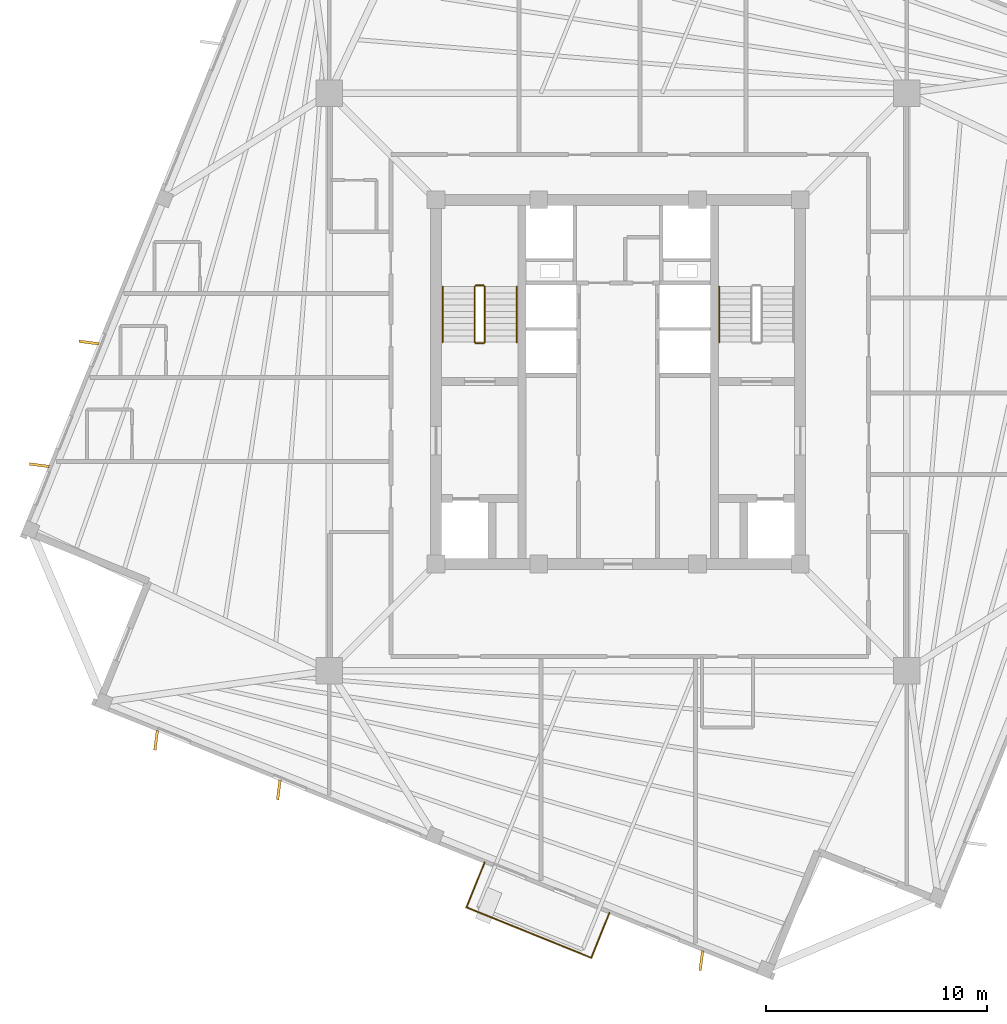
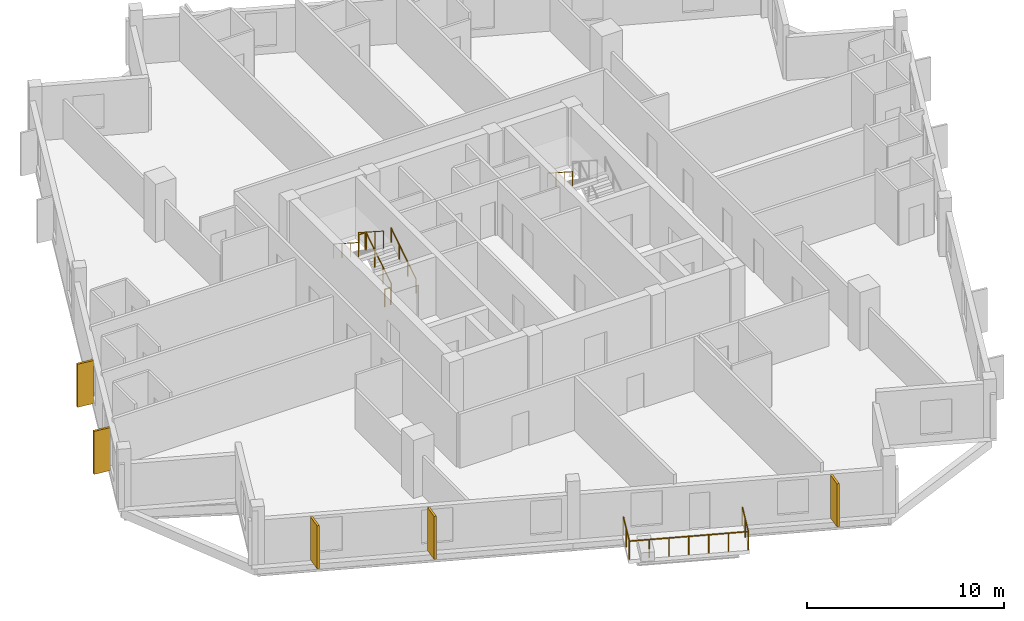
# One storey, part 7 of 9: 10 railings, 5 coverings.
"""IFC4 building model written with IfcOpenShell, lengths in metres."""

import ifcopenshell
import ifcopenshell.guid

model = None  # the IFC model being written
_history = None  # IfcOwnerHistory: only IFC2X3 demands one
_inside = {}  # id of a spatial element -> (the spatial element, [elements in it])
_under = {}  # id of a project, library or spatial element -> (it, [spatial elements below it])
_declared = {}  # id of a project -> (the project, [libraries it declares])
_typed = {}  # id of a type object -> (the type object, [elements of that type])
_made_of = {}  # id of a material, layer set ... -> (it, [elements and type objects made of it])


def new_model(schema):
    """Start an empty IFC model of exactly this schema.

    Asked for "IFC4X3", IfcOpenShell would pick the latest addendum, in which some entities
    have other attributes; the version numbers below select the first issue.
    IFC2X3 requires an IfcOwnerHistory on every rooted entity: one is made here for all.
    """
    global model, _history
    if schema == "IFC4X3":
        model = ifcopenshell.file(schema_version=(4, 3, 0, 0))
    else:
        model = ifcopenshell.file(schema=schema)
    _inside.clear()
    _under.clear()
    _declared.clear()
    _typed.clear()
    _made_of.clear()
    _history = None
    if model.schema == "IFC2X3":
        org = make("IfcOrganization", Name="unknown")
        user = make(
            "IfcPersonAndOrganization",
            ThePerson=make("IfcPerson", FamilyName="unknown"),
            TheOrganization=org,
        )
        app = make(
            "IfcApplication",
            ApplicationDeveloper=org,
            Version="unknown",
            ApplicationFullName="unknown",
            ApplicationIdentifier="unknown",
        )
        _history = make(
            "IfcOwnerHistory",
            OwningUser=user,
            OwningApplication=app,
            ChangeAction="ADDED",
            CreationDate=0,
        )
    return model


def make(cls, **values):
    """One entity of the class cls with the attributes given. An attribute that is None is left unset."""
    return model.create_entity(
        cls, **{name: value for name, value in values.items() if value is not None}
    )


def rooted(cls, **values):
    """An entity with a GlobalId (a new one), such as an element, a storey or a relation."""
    return make(cls, GlobalId=ifcopenshell.guid.new(), OwnerHistory=_history, **values)


def si_unit(unit_type, name, prefix=None):
    """IfcSIUnit, for example si_unit("LENGTHUNIT", "METRE", prefix="MILLI")."""
    return make("IfcSIUnit", UnitType=unit_type, Prefix=prefix, Name=name)


def assignment(units):
    """IfcUnitAssignment: the units of a project."""
    return None if units is None else make("IfcUnitAssignment", Units=units)


def point(xyz):
    """IfcCartesianPoint."""
    return None if xyz is None else make("IfcCartesianPoint", Coordinates=xyz)


def direction(xyz):
    """IfcDirection."""
    return None if xyz is None else make("IfcDirection", DirectionRatios=xyz)


def frame(location, z_axis=None, x_axis=None):
    """IfcAxis2Placement3D, a coordinate frame: its origin and axes. An axis left out is left unset."""
    return make(
        "IfcAxis2Placement3D",
        Location=point(location),
        Axis=direction(z_axis),
        RefDirection=direction(x_axis),
    )


def frame_2d(location, x_axis=None):
    """IfcAxis2Placement2D, a coordinate frame in the plane: its origin and x axis."""
    return make(
        "IfcAxis2Placement2D", Location=point(location), RefDirection=direction(x_axis)
    )


def origin():
    """The frame at (0, 0, 0) with its axes left unset."""
    return frame((0.0, 0.0, 0.0))


def origin_2d():
    """The frame at (0, 0) in the plane with its x axis left unset."""
    return frame_2d((0.0, 0.0))


def place(relative_to, where):
    """IfcLocalPlacement: puts the frame where relative to a parent placement (None: the world)."""
    return make(
        "IfcLocalPlacement", PlacementRelTo=relative_to, RelativePlacement=where
    )


def context(
    kind, dimensions, precision=None, world=None, true_north=None, identifier=None
):
    """IfcGeometricRepresentationContext, for example the 3D "Model" context."""
    return make(
        "IfcGeometricRepresentationContext",
        ContextIdentifier=identifier,
        ContextType=kind,
        CoordinateSpaceDimension=dimensions,
        Precision=precision,
        WorldCoordinateSystem=world,
        TrueNorth=true_north,
    )


def subcontext(parent, identifier, kind, view, scale=None):
    """IfcGeometricRepresentationSubContext, for example "Body" below "Model"."""
    return make(
        "IfcGeometricRepresentationSubContext",
        ContextIdentifier=identifier,
        ContextType=kind,
        ParentContext=parent,
        TargetScale=scale,
        TargetView=view,
    )


def project(units=None, contexts=None):
    """IfcProject with its units and contexts."""
    return rooted(
        "IfcProject",
        Name="project",
        RepresentationContexts=contexts,
        UnitsInContext=assignment(units),
    )


def spatial(cls, under=None, at=None, **own):
    """A site, building, storey or space (cls), placed at a placement, below another one or the project."""
    s = rooted(cls, ObjectPlacement=at, **own)
    if under is not None:
        _under.setdefault(under.id(), (under, []))[1].append(s)
    return s


def profile(cls, at=None, kind="AREA", **sizes):
    """A parametric profile (cls). Its sizes go by their IFC names, for example OverallWidth=200.0."""
    return make(cls, ProfileType=kind, Position=at, **sizes)


def rectangle(**sizes):
    """IfcRectangleProfileDef."""
    return profile("IfcRectangleProfileDef", **sizes)


def circle(**sizes):
    """IfcCircleProfileDef."""
    return profile("IfcCircleProfileDef", **sizes)


def extrude(swept, where, along, depth):
    """IfcExtrudedAreaSolid: the profile swept, set in the frame where, extruded along a direction by depth."""
    return make(
        "IfcExtrudedAreaSolid",
        SweptArea=swept,
        Position=where,
        ExtrudedDirection=direction(along),
        Depth=depth,
    )


def shape(context_of_items, identifier, shape_type, items):
    """IfcShapeRepresentation: the items that make up one representation, for example the "Body"."""
    return make(
        "IfcShapeRepresentation",
        ContextOfItems=context_of_items,
        RepresentationIdentifier=identifier,
        RepresentationType=shape_type,
        Items=items,
    )


def source(mapping_origin, context_of_items, identifier, shape_type, items):
    """IfcRepresentationMap: a shape defined once, which mapped items show again and again."""
    return make(
        "IfcRepresentationMap",
        MappingOrigin=mapping_origin,
        MappedRepresentation=shape(context_of_items, identifier, shape_type, items),
    )


def transform(
    local_origin,
    x_axis=None,
    y_axis=None,
    z_axis=None,
    scale=None,
    scale2=None,
    scale3=None,
    uniform=True,
):
    """IfcCartesianTransformationOperator3D, or its non-uniform kind. x_axis, y_axis, z_axis: its Axis1, 2, 3."""
    if uniform:
        return make(
            "IfcCartesianTransformationOperator3D",
            Axis1=direction(x_axis),
            Axis2=direction(y_axis),
            LocalOrigin=point(local_origin),
            Scale=scale,
            Axis3=direction(z_axis),
        )
    return make(
        "IfcCartesianTransformationOperator3DnonUniform",
        Axis1=direction(x_axis),
        Axis2=direction(y_axis),
        LocalOrigin=point(local_origin),
        Scale=scale,
        Axis3=direction(z_axis),
        Scale2=scale2,
        Scale3=scale3,
    )


def mapped(mapping_source, mapping_target):
    """IfcMappedItem: shows the shape of a source again, moved by a transform."""
    return make(
        "IfcMappedItem", MappingSource=mapping_source, MappingTarget=mapping_target
    )


def material(Name=None, Category=None):
    """IfcMaterial."""
    return make("IfcMaterial", Name=Name, Category=Category)


def layer(
    of_material, thickness, ventilated=None, Name=None, Category=None, Priority=None
):
    """IfcMaterialLayer: one layer of a wall or slab, of a material (None: an air gap)."""
    return make(
        "IfcMaterialLayer",
        Material=of_material,
        LayerThickness=thickness,
        IsVentilated=ventilated,
        Name=Name,
        Category=Category,
        Priority=Priority,
    )


def layer_set(layers, Name=None):
    """IfcMaterialLayerSet."""
    return make("IfcMaterialLayerSet", MaterialLayers=layers, LayerSetName=Name)


def made_of(thing, what):
    """Note that an element or type object is made of a material, layer set ...; save() writes the relation."""
    if what is not None:
        _made_of.setdefault(what.id(), (what, []))[1].append(thing)
    return thing


def type_object(cls, material=None, **own):
    """A type object (cls), such as IfcWallType, which elements share."""
    return made_of(rooted(cls, **own), material)


def element(
    cls,
    number,
    at=None,
    inside=None,
    cuts=None,
    type_object=None,
    material=None,
    context=None,
    identifier="Body",
    shape_type=None,
    held_by="IfcProductDefinitionShape",
    body=None,
    shapes=None,
    **own,
):
    """One element of the class cls, such as IfcWall. Its Tag is "e" and its number.

    at: its placement. inside: the storey or other place that contains it. cuts: it is an
    opening in that element (IfcRelVoidsElement). A single representation is given by context,
    identifier, shape_type and body (its items); several are given by shapes. held_by: the class
    of the entity that holds the representations. save() writes the other relations.
    """
    e = rooted(cls, Tag="e%d" % number, ObjectPlacement=at, **own)
    if body is not None:
        shapes = [shape(context, identifier, shape_type, body)]
    if shapes is not None:
        e.Representation = make(held_by, Representations=shapes)
    if inside is not None:
        _inside.setdefault(inside.id(), (inside, []))[1].append(e)
    if cuts is not None:
        rooted(
            "IfcRelVoidsElement", RelatingBuildingElement=cuts, RelatedOpeningElement=e
        )
    if type_object is not None:
        _typed.setdefault(type_object.id(), (type_object, []))[1].append(e)
    return made_of(e, material)


def aggregate(whole, parts):
    """IfcRelAggregates: a whole, such as a stair, and the parts it consists of."""
    return rooted("IfcRelAggregates", RelatingObject=whole, RelatedObjects=parts)


def save(model, path):
    """Write the relations noted so far, then the file.

    IfcRelAggregates (storeys below a building ...), IfcRelContainedInSpatialStructure (elements
    in a storey), IfcRelDefinesByType, IfcRelAssociatesMaterial and IfcRelDeclares: one each for
    every whole, place, type object, material and project.
    """
    for whole, parts in _under.values():
        aggregate(whole, parts)
    for where, things in _inside.values():
        rooted(
            "IfcRelContainedInSpatialStructure",
            RelatedElements=things,
            RelatingStructure=where,
        )
    for kind, things in _typed.values():
        rooted("IfcRelDefinesByType", RelatedObjects=things, RelatingType=kind)
    for what, things in _made_of.values():
        rooted("IfcRelAssociatesMaterial", RelatedObjects=things, RelatingMaterial=what)
    for by, libraries in _declared.values():
        rooted("IfcRelDeclares", RelatingContext=by, RelatedDefinitions=libraries)
    model.write(path)


model = new_model("IFC4")

# Units and contexts
model_context = context("Model", 3, precision=1e-05, world=origin(), true_north=direction((0.0, 1.0)))
body_context = subcontext(model_context, "Body", "Model", "MODEL_VIEW")
ifc_project = project(units=[si_unit("LENGTHUNIT", "METRE"), si_unit("AREAUNIT", "SQUARE_METRE"), si_unit("VOLUMEUNIT", "CUBIC_METRE"), si_unit("PLANEANGLEUNIT", "RADIAN"), si_unit("MASSUNIT", "GRAM", prefix="KILO"), si_unit("THERMODYNAMICTEMPERATUREUNIT", "KELVIN")], contexts=[model_context])

# Site, building, storey
site_placement = place(None, origin())
site = spatial("IfcSite", under=ifc_project, at=site_placement, CompositionType="ELEMENT")
building_placement = place(site_placement, origin())
building = spatial("IfcBuilding", under=site, at=building_placement, Name="Kosmvard Interchange Tower", CompositionType="ELEMENT")
storey_placement = place(building_placement, frame((0.0, 0.0, 297.60009765625)))
storey = spatial("IfcBuildingStorey", under=building, at=storey_placement, Name="L73", CompositionType="ELEMENT", Elevation=297.60009765625)

# Coverings
ifc_material_1 = material(Name="Architectural anodised aluminium", Category="aluminium")
ifc_layer = layer(ifc_material_1, 0.1201171875, Name="Architectural anodised aluminium")
ifc_layer_set = layer_set([ifc_layer], Name="Architectural anodised aluminium")
covering_type = type_object("IfcCoveringType", Name="Rotating Vertical Sun-Breaker Fin 900x120 Aluminium", PredefinedType="CLADDING", material=ifc_layer_set)
shared_shape_1 = source(origin(), body_context, "Body", "SweptSolid", [
    extrude(rectangle(XDim=0.89990234375, YDim=0.1201171875, at=origin_2d()), origin(), (0.0, 0.0, 1.0), 2.669921875),
])
for number, where, z_axis, x_axis, name in (
    (1, (-23.977783203125, 1.783935546875, 0.0400390625), (0.0, 0.0, 1.0), (-0.99178318013, 0.127930151302, 0.0), "L73 Rotating Vertical Sun-Breaker Fin 10"),
    (2, (-26.223876953125, -3.775390625, 0.0400390625), (0.0, 0.0, 1.0), (-0.99178318013, 0.127930151302, 0.0), "L73 Rotating Vertical Sun-Breaker Fin 11"),
    (3, (-20.932373046875, -16.2412109375, 0.0400390625), (0.0, 0.0, 1.0), (-0.127930151302, -0.99178318013, 0.0), "L73 Rotating Vertical Sun-Breaker Fin 12"),
    (4, (-15.373046875, -18.4873046875, 0.0400390625), (0.0, 0.0, 1.0), (-0.127930151302, -0.99178318013, 0.0), "L73 Rotating Vertical Sun-Breaker Fin 13"),
    (5, (3.775390625, -26.223876953125, 0.0400390625), (0.0, 0.0, 1.0), (-0.127930151302, -0.99178318013, 0.0), "L73 Rotating Vertical Sun-Breaker Fin 14"),
):
    element("IfcCovering", number, at=place(storey_placement, frame(where, z_axis=z_axis, x_axis=x_axis)), inside=storey, type_object=covering_type, Name=name, PredefinedType="CLADDING", context=body_context, shape_type="MappedRepresentation", body=[
        mapped(shared_shape_1, transform((0.0, 0.0, 0.0), scale=1.0)),
    ])

# Railings
ifc_material_2 = material(Name="Steel S355", Category="steel")
railing_type_1 = type_object("IfcRailingType", Name="Observation & Balcony Glass-Infill Balustrade 1150", PredefinedType="BALUSTRADE", material=ifc_material_2)
shared_shape_2 = source(origin(), body_context, "Body", "SweptSolid", [
    extrude(circle(Radius=0.02392578125, at=origin_2d()), frame((0.0, 0.0, 1.1259765625), z_axis=(0.374545618852, 0.927208487558, 0.0), x_axis=(-0.927208487558, 0.374545618852, 0.0)), (0.0, 0.0, 1.0), 2.199951171875),
    extrude(circle(Radius=0.02099609375, at=origin_2d()), origin(), (0.0, 0.0, 1.0), 1.101806640625),
    extrude(circle(Radius=0.02099609375, at=origin_2d()), frame((0.412109375, 1.02001953125, 0.0)), (0.0, 0.0, 1.0), 1.101806640625),
    extrude(circle(Radius=0.02099609375, at=origin_2d()), frame((0.823974609375, 2.039794921875, 0.0)), (0.0, 0.0, 1.0), 1.101806640625),
])
railing_1_placement = place(storey_placement, frame((-1.2138671875, -26.095458984375, 0.0)))
element("IfcRailing", 6, at=railing_1_placement, inside=storey, type_object=railing_type_1, Name="L73 Outdoor Terrace Guard BAL-L73-W-C", PredefinedType="BALUSTRADE", context=body_context, shape_type="MappedRepresentation", body=[
    mapped(shared_shape_2, transform((0.0, 0.0, 0.0), scale=1.0)),
])
shared_shape_3 = source(origin(), body_context, "Body", "SweptSolid", [
    extrude(circle(Radius=0.02392578125, at=origin_2d()), frame((0.0, 0.0, 1.1259765625), z_axis=(-0.374545618852, -0.927208487558, 0.0), x_axis=(0.927208487558, -0.374545618852, 0.0)), (0.0, 0.0, 1.0), 2.199951171875),
    extrude(circle(Radius=0.02099609375, at=origin_2d()), origin(), (0.0, 0.0, 1.0), 1.101806640625),
    extrude(circle(Radius=0.02099609375, at=origin_2d()), frame((-0.412109375, -1.02001953125, 0.0)), (0.0, 0.0, 1.0), 1.101806640625),
    extrude(circle(Radius=0.02099609375, at=origin_2d()), frame((-0.823974609375, -2.039794921875, 0.0)), (0.0, 0.0, 1.0), 1.101806640625),
])
railing_2_placement = place(storey_placement, frame((-6.045654296875, -21.7705078125, 0.0)))
element("IfcRailing", 7, at=railing_2_placement, inside=storey, type_object=railing_type_1, Name="L73 Outdoor Terrace Guard BAL-L73-W-A", PredefinedType="BALUSTRADE", context=body_context, shape_type="MappedRepresentation", body=[
    mapped(shared_shape_3, transform((0.0, 0.0, 0.0), scale=1.0)),
])
shared_shape_4 = source(origin(), body_context, "Body", "SweptSolid", [
    extrude(circle(Radius=0.02392578125, at=origin_2d()), frame((0.0, 0.0, 1.1259765625), z_axis=(0.927179288599, -0.374617894384, 0.0), x_axis=(0.374617894384, 0.927179288599, 0.0)), (0.0, 0.0, 1.0), 6.099853515625),
    extrude(circle(Radius=0.02099609375, at=origin_2d()), origin(), (0.0, 0.0, 1.0), 1.101806640625),
    extrude(circle(Radius=0.02099609375, at=origin_2d()), frame((0.942626953125, -0.380859375, 0.0)), (0.0, 0.0, 1.0), 1.101806640625),
    extrude(circle(Radius=0.02099609375, at=origin_2d()), frame((1.88525390625, -0.76171875, 0.0)), (0.0, 0.0, 1.0), 1.101806640625),
    extrude(circle(Radius=0.02099609375, at=origin_2d()), frame((2.827880859375, -1.142578125, 0.0)), (0.0, 0.0, 1.0), 1.101806640625),
    extrude(circle(Radius=0.02099609375, at=origin_2d()), frame((3.7705078125, -1.5234375, 0.0)), (0.0, 0.0, 1.0), 1.101806640625),
    extrude(circle(Radius=0.02099609375, at=origin_2d()), frame((4.713134765625, -1.904296875, 0.0)), (0.0, 0.0, 1.0), 1.101806640625),
    extrude(circle(Radius=0.02099609375, at=origin_2d()), frame((5.65576171875, -2.28515625, 0.0)), (0.0, 0.0, 1.0), 1.101806640625),
])
railing_3_placement = place(storey_placement, frame((-6.86962890625, -23.810302734375, 0.0)))
element("IfcRailing", 8, at=railing_3_placement, inside=storey, type_object=railing_type_1, Name="L73 Outdoor Terrace Guard BAL-L73-W-B", PredefinedType="BALUSTRADE", context=body_context, shape_type="MappedRepresentation", body=[
    mapped(shared_shape_4, transform((0.0, 0.0, 0.0), scale=1.0)),
])
railing_type_2 = type_object("IfcRailingType", Name="Stair & Terrace Safety Guardrail 1100 Steel", PredefinedType="GUARDRAIL", material=ifc_material_2)
shared_shape_5 = source(origin(), body_context, "Body", "SweptSolid", [
    extrude(circle(Radius=0.02392578125, at=origin_2d()), frame((0.0, 0.0, 1.076171875), z_axis=(-1.0, 0.0, 0.0), x_axis=(0.0, -1.0, 0.0)), (0.0, 0.0, 1.0), 0.35986328125),
    extrude(circle(Radius=0.02099609375, at=origin_2d()), origin(), (0.0, 0.0, 1.0), 1.052001953125),
    extrude(circle(Radius=0.02099609375, at=origin_2d()), frame((-0.35986328125, 0.0, 0.0)), (0.0, 0.0, 1.0), 1.052001953125),
])
for number, where, name in (
    (9, (-6.090087890625, 4.3701171875, 1.7998046875), "L73 ST-1 stair guard 2"),
    (10, (-6.090087890625, 1.75, 0.0), "L73 ST-1 stair guard 4"),
):
    element("IfcRailing", number, at=place(storey_placement, frame(where)), inside=storey, type_object=railing_type_2, Name=name, PredefinedType="GUARDRAIL", context=body_context, shape_type="MappedRepresentation", body=[
        mapped(shared_shape_5, transform((0.0, 0.0, 0.0), scale=1.0)),
    ])
shared_shape_6 = source(origin(), body_context, "Body", "SweptSolid", [
    extrude(circle(Radius=0.02392578125, at=origin_2d()), frame((0.0, 0.0, 1.076171875), z_axis=(0.0, -0.841199657755, 0.540724639528), x_axis=(1.0, 0.0, 0.0)), (0.0, 0.0, 1.0), 2.995849609375),
    extrude(circle(Radius=0.02099609375, at=origin_2d()), origin(), (0.0, 0.0, 1.0), 1.052001953125),
    extrude(circle(Radius=0.02099609375, at=origin_2d()), frame((0.0, -0.840087890625, 0.5400390625)), (0.0, 0.0, 1.0), 1.052001953125),
    extrude(circle(Radius=0.02099609375, at=origin_2d()), frame((0.0, -1.679931640625, 1.079833984375)), (0.0, 0.0, 1.0), 1.052001953125),
    extrude(circle(Radius=0.02099609375, at=origin_2d()), frame((0.0, -2.52001953125, 1.619873046875)), (0.0, 0.0, 1.0), 1.052001953125),
])
railing_4_placement = place(storey_placement, frame((-6.5, 4.320068359375, 1.97998046875)))
element("IfcRailing", 11, at=railing_4_placement, inside=storey, type_object=railing_type_2, Name="L73 ST-1 stair guard 3", PredefinedType="GUARDRAIL", context=body_context, shape_type="MappedRepresentation", body=[
    mapped(shared_shape_6, transform((0.0, 0.0, 0.0), scale=1.0)),
])
railing_type_3 = type_object("IfcRailingType", Name="Wall-Mounted Stair Handrail 900 Steel", PredefinedType="HANDRAIL", material=ifc_material_2)
shared_shape_7 = source(origin(), body_context, "Body", "SweptSolid", [
    extrude(circle(Radius=0.02392578125, at=origin_2d()), frame((0.0, 0.0, 0.8759765625), z_axis=(0.0, -0.841199657755, 0.540724639528), x_axis=(1.0, 0.0, 0.0)), (0.0, 0.0, 1.0), 2.995849609375),
    extrude(circle(Radius=0.02099609375, at=origin_2d()), origin(), (0.0, 0.0, 1.0), 0.851806640625),
    extrude(circle(Radius=0.02099609375, at=origin_2d()), frame((0.0, -0.840087890625, 0.5400390625)), (0.0, 0.0, 1.0), 0.851806640625),
    extrude(circle(Radius=0.02099609375, at=origin_2d()), frame((0.0, -1.679931640625, 1.079833984375)), (0.0, 0.0, 1.0), 0.851806640625),
    extrude(circle(Radius=0.02099609375, at=origin_2d()), frame((0.0, -2.52001953125, 1.619873046875)), (0.0, 0.0, 1.0), 0.851806640625),
])
for number, where, name in (
    (12, (-7.949951171875, 4.320068359375, 1.97998046875), "L73 ST-1 stair handrail 2"),
    (13, (4.590087890625, 4.320068359375, 1.97998046875), "L73 ST-2 stair handrail 2"),
):
    element("IfcRailing", number, at=place(storey_placement, frame(where)), inside=storey, type_object=railing_type_3, Name=name, PredefinedType="HANDRAIL", context=body_context, shape_type="MappedRepresentation", body=[
        mapped(shared_shape_7, transform((0.0, 0.0, 0.0), scale=1.0)),
    ])
shared_shape_8 = source(origin(), body_context, "Body", "SweptSolid", [
    extrude(circle(Radius=0.02392578125, at=origin_2d()), frame((0.0, 0.0, 1.076171875), z_axis=(0.0, 0.841199657755, 0.540724639528), x_axis=(-1.0, 0.0, 0.0)), (0.0, 0.0, 1.0), 2.995849609375),
    extrude(circle(Radius=0.02099609375, at=origin_2d()), origin(), (0.0, 0.0, 1.0), 1.052001953125),
    extrude(circle(Radius=0.02099609375, at=origin_2d()), frame((0.0, 0.840087890625, 0.5400390625)), (0.0, 0.0, 1.0), 1.052001953125),
    extrude(circle(Radius=0.02099609375, at=origin_2d()), frame((0.0, 1.679931640625, 1.079833984375)), (0.0, 0.0, 1.0), 1.052001953125),
    extrude(circle(Radius=0.02099609375, at=origin_2d()), frame((0.0, 2.52001953125, 1.619873046875)), (0.0, 0.0, 1.0), 1.052001953125),
])
railing_5_placement = place(storey_placement, frame((-6.0400390625, 1.800048828125, 0.179931640625)))
element("IfcRailing", 14, at=railing_5_placement, inside=storey, type_object=railing_type_2, Name="L73 ST-1 stair guard 1", PredefinedType="GUARDRAIL", context=body_context, shape_type="MappedRepresentation", body=[
    mapped(shared_shape_8, transform((0.0, 0.0, 0.0), scale=1.0)),
])
shared_shape_9 = source(origin(), body_context, "Body", "SweptSolid", [
    extrude(circle(Radius=0.02392578125, at=origin_2d()), frame((0.0, 0.0, 0.8759765625), z_axis=(0.0, 0.841199657755, 0.540724639528), x_axis=(-1.0, 0.0, 0.0)), (0.0, 0.0, 1.0), 2.995849609375),
    extrude(circle(Radius=0.02099609375, at=origin_2d()), origin(), (0.0, 0.0, 1.0), 0.851806640625),
    extrude(circle(Radius=0.02099609375, at=origin_2d()), frame((0.0, 0.840087890625, 0.5400390625)), (0.0, 0.0, 1.0), 0.851806640625),
    extrude(circle(Radius=0.02099609375, at=origin_2d()), frame((0.0, 1.679931640625, 1.079833984375)), (0.0, 0.0, 1.0), 0.851806640625),
    extrude(circle(Radius=0.02099609375, at=origin_2d()), frame((0.0, 2.52001953125, 1.619873046875)), (0.0, 0.0, 1.0), 0.851806640625),
])
railing_6_placement = place(storey_placement, frame((-4.590087890625, 1.800048828125, 0.179931640625)))
element("IfcRailing", 15, at=railing_6_placement, inside=storey, type_object=railing_type_3, Name="L73 ST-1 stair handrail 1", PredefinedType="HANDRAIL", context=body_context, shape_type="MappedRepresentation", body=[
    mapped(shared_shape_9, transform((0.0, 0.0, 0.0), scale=1.0)),
])

save(model, "model.ifc")
